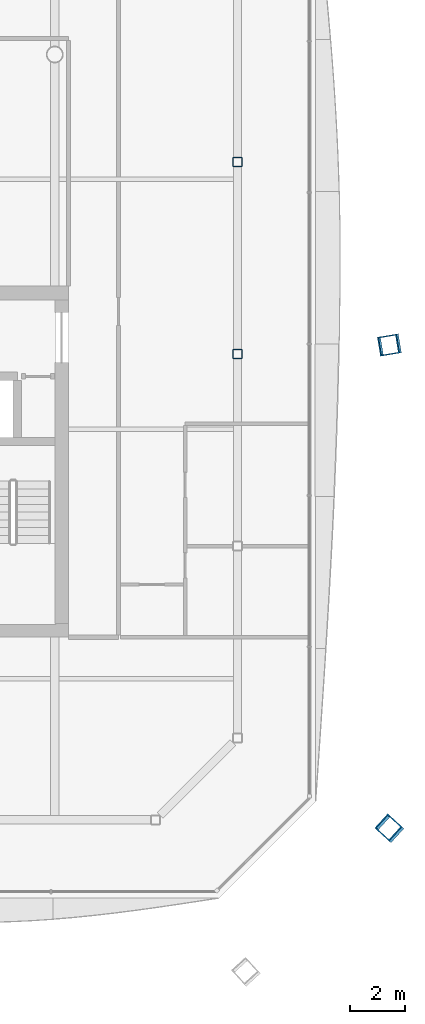
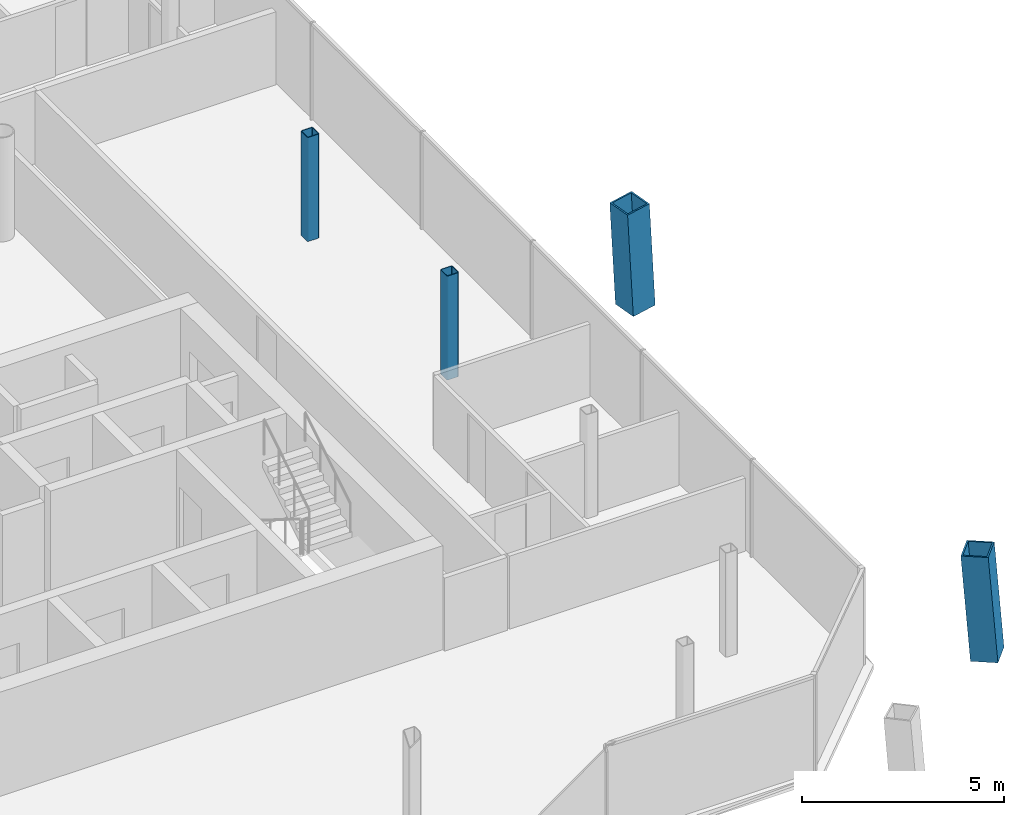
# One storey, part 2 of 20: 4 columns.
"""IFC4 building model written with IfcOpenShell, lengths in metres."""

from ifc_helpers import new_model, si_unit, direction, frame, origin, origin_2d, place, context, subcontext, project, spatial, hollow_rectangle, extrude, material, material_profile, profile_set, type_object, element, save


model = new_model("IFC4")

# Units and contexts
model_context = context("Model", 3, precision=1e-05, world=origin(), true_north=direction((0.0, 1.0)))
body_context = subcontext(model_context, "Body", "Model", "MODEL_VIEW")
ifc_project = project(units=[si_unit("LENGTHUNIT", "METRE"), si_unit("AREAUNIT", "SQUARE_METRE"), si_unit("VOLUMEUNIT", "CUBIC_METRE"), si_unit("PLANEANGLEUNIT", "RADIAN"), si_unit("MASSUNIT", "GRAM", prefix="KILO")], contexts=[model_context])

# Site, building, storey
site_placement = place(None, origin())
site = spatial("IfcSite", under=ifc_project, at=site_placement, CompositionType="ELEMENT")
building_placement = place(site_placement, origin())
building = spatial("IfcBuilding", under=site, at=building_placement, Name="Tskaro Facet Tower", CompositionType="ELEMENT")
storey_placement = place(building_placement, frame((0.0, 0.0, 175.35009765625)))
storey = spatial("IfcBuildingStorey", under=building, at=storey_placement, Name="L43", CompositionType="ELEMENT", Elevation=175.35009765625)

# Columns
ifc_material_1 = material(Name="Steel S460M", Category="steel")
ifc_material_profile_1 = material_profile(ifc_material_1, hollow_rectangle(XDim=0.699951171875, YDim=0.699951171875, WallThickness=0.044921875, at=origin_2d()), Name="BOX 700x700x45")
ifc_profile_set_1 = profile_set([ifc_material_profile_1], Name="Steel S460M")
column_type_1 = type_object("IfcColumnType", Name="BOX 700x700x45 mega column", PredefinedType="COLUMN", material=ifc_profile_set_1)
column_1_placement = place(storey_placement, frame((21.093017578125, -18.91796875, 0.0), z_axis=(-0.057644340806, 0.05254443934, 0.996953465247), x_axis=(-0.673658387955, -0.739042878551, 0.0)))
element("IfcColumn", 1, at=column_1_placement, inside=storey, type_object=column_type_1, Name="BOX 700x700x45 MC04/4", PredefinedType="COLUMN", context=body_context, shape_type="SweptSolid", body=[
    extrude(hollow_rectangle(XDim=0.699951171875, YDim=0.699951171875, WallThickness=0.044921875, at=origin_2d()), origin(), (0.0, 0.0, 1.0), 3.159423828125),
])
column_2_placement = place(storey_placement, frame((21.093017578125, -1.464111328125, 0.0), z_axis=(-0.057721509714, -0.009439710704, 0.998288094278), x_axis=(0.161394864897, -0.986889911583, 0.0)))
element("IfcColumn", 2, at=column_2_placement, inside=storey, type_object=column_type_1, Name="BOX 700x700x45 MC05/4", PredefinedType="COLUMN", context=body_context, shape_type="SweptSolid", body=[
    extrude(hollow_rectangle(XDim=0.699951171875, YDim=0.699951171875, WallThickness=0.044921875, at=origin_2d()), origin(), (0.0, 0.0, 1.0), 3.1552734375),
])
ifc_material_2 = material(Name="Steel S355J2H", Category="steel")
ifc_material_profile_2 = material_profile(ifc_material_2, hollow_rectangle(XDim=0.35009765625, YDim=0.35009765625, WallThickness=0.02001953125, InnerFilletRadius=0.030029296875, OuterFilletRadius=0.050048828125, at=origin_2d()), Name="SHS 350x350x20")
ifc_profile_set_2 = profile_set([ifc_material_profile_2], Name="Steel S355J2H")
column_type_2 = type_object("IfcColumnType", Name="SHS 350x350x20 ring column", PredefinedType="COLUMN", material=ifc_profile_set_2)
for number, where, z_axis, x_axis, name in (
    (3, (15.5830078125, -1.79296875, 0.0), (0.0, 0.0, 1.0), (1.0, 0.0, 0.0), "SHS 350x350x20 RE-3/4"),
    (4, (15.5830078125, 5.1259765625, 0.0), (0.0, 0.0, 1.0), (1.0, 0.0, 0.0), "SHS 350x350x20 RE-4/4"),
):
    element("IfcColumn", number, at=place(storey_placement, frame(where, z_axis=z_axis, x_axis=x_axis)), inside=storey, type_object=column_type_2, Name=name, PredefinedType="COLUMN", context=body_context, shape_type="SweptSolid", body=[
        extrude(hollow_rectangle(XDim=0.35009765625, YDim=0.35009765625, WallThickness=0.02001953125, InnerFilletRadius=0.030029296875, OuterFilletRadius=0.050048828125, at=origin_2d()), origin(), (0.0, 0.0, 1.0), 3.14990234375),
    ])

save(model, "model.ifc")
